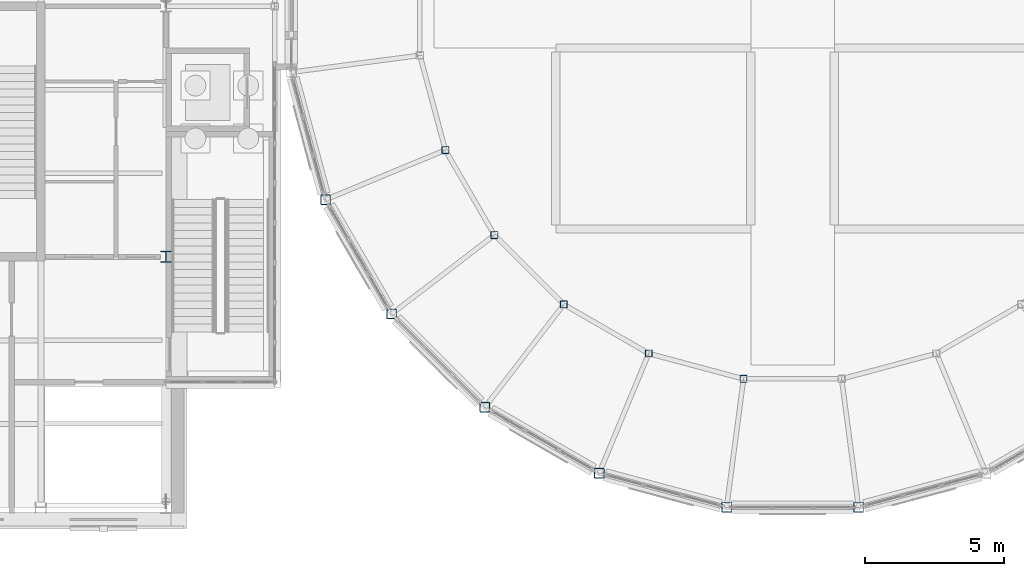
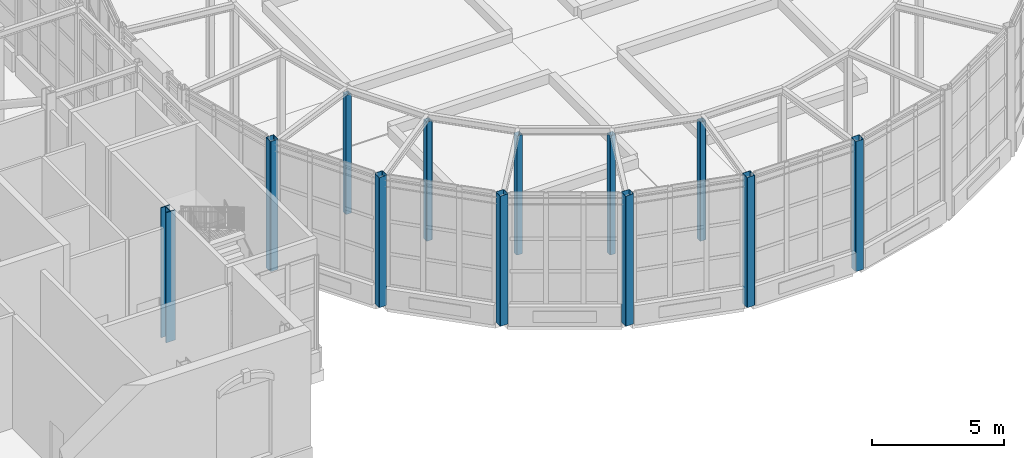
# One storey, part 7 of 106: 12 columns.
"""IFC4 building model written with IfcOpenShell, lengths in metres."""

import ifcopenshell
import ifcopenshell.guid

model = None  # the IFC model being written
_history = None  # IfcOwnerHistory: only IFC2X3 demands one
_inside = {}  # id of a spatial element -> (the spatial element, [elements in it])
_under = {}  # id of a project, library or spatial element -> (it, [spatial elements below it])
_declared = {}  # id of a project -> (the project, [libraries it declares])
_typed = {}  # id of a type object -> (the type object, [elements of that type])
_made_of = {}  # id of a material, layer set ... -> (it, [elements and type objects made of it])


def new_model(schema):
    """Start an empty IFC model of exactly this schema.

    Asked for "IFC4X3", IfcOpenShell would pick the latest addendum, in which some entities
    have other attributes; the version numbers below select the first issue.
    IFC2X3 requires an IfcOwnerHistory on every rooted entity: one is made here for all.
    """
    global model, _history
    if schema == "IFC4X3":
        model = ifcopenshell.file(schema_version=(4, 3, 0, 0))
    else:
        model = ifcopenshell.file(schema=schema)
    _inside.clear()
    _under.clear()
    _declared.clear()
    _typed.clear()
    _made_of.clear()
    _history = None
    if model.schema == "IFC2X3":
        org = make("IfcOrganization", Name="unknown")
        user = make(
            "IfcPersonAndOrganization",
            ThePerson=make("IfcPerson", FamilyName="unknown"),
            TheOrganization=org,
        )
        app = make(
            "IfcApplication",
            ApplicationDeveloper=org,
            Version="unknown",
            ApplicationFullName="unknown",
            ApplicationIdentifier="unknown",
        )
        _history = make(
            "IfcOwnerHistory",
            OwningUser=user,
            OwningApplication=app,
            ChangeAction="ADDED",
            CreationDate=0,
        )
    return model


def make(cls, **values):
    """One entity of the class cls with the attributes given. An attribute that is None is left unset."""
    return model.create_entity(
        cls, **{name: value for name, value in values.items() if value is not None}
    )


def rooted(cls, **values):
    """An entity with a GlobalId (a new one), such as an element, a storey or a relation."""
    return make(cls, GlobalId=ifcopenshell.guid.new(), OwnerHistory=_history, **values)


def si_unit(unit_type, name, prefix=None):
    """IfcSIUnit, for example si_unit("LENGTHUNIT", "METRE", prefix="MILLI")."""
    return make("IfcSIUnit", UnitType=unit_type, Prefix=prefix, Name=name)


def assignment(units):
    """IfcUnitAssignment: the units of a project."""
    return None if units is None else make("IfcUnitAssignment", Units=units)


def point(xyz):
    """IfcCartesianPoint."""
    return None if xyz is None else make("IfcCartesianPoint", Coordinates=xyz)


def direction(xyz):
    """IfcDirection."""
    return None if xyz is None else make("IfcDirection", DirectionRatios=xyz)


def frame(location, z_axis=None, x_axis=None):
    """IfcAxis2Placement3D, a coordinate frame: its origin and axes. An axis left out is left unset."""
    return make(
        "IfcAxis2Placement3D",
        Location=point(location),
        Axis=direction(z_axis),
        RefDirection=direction(x_axis),
    )


def frame_2d(location, x_axis=None):
    """IfcAxis2Placement2D, a coordinate frame in the plane: its origin and x axis."""
    return make(
        "IfcAxis2Placement2D", Location=point(location), RefDirection=direction(x_axis)
    )


def origin():
    """The frame at (0, 0, 0) with its axes left unset."""
    return frame((0.0, 0.0, 0.0))


def origin_2d():
    """The frame at (0, 0) in the plane with its x axis left unset."""
    return frame_2d((0.0, 0.0))


def place(relative_to, where):
    """IfcLocalPlacement: puts the frame where relative to a parent placement (None: the world)."""
    return make(
        "IfcLocalPlacement", PlacementRelTo=relative_to, RelativePlacement=where
    )


def context(
    kind, dimensions, precision=None, world=None, true_north=None, identifier=None
):
    """IfcGeometricRepresentationContext, for example the 3D "Model" context."""
    return make(
        "IfcGeometricRepresentationContext",
        ContextIdentifier=identifier,
        ContextType=kind,
        CoordinateSpaceDimension=dimensions,
        Precision=precision,
        WorldCoordinateSystem=world,
        TrueNorth=true_north,
    )


def subcontext(parent, identifier, kind, view, scale=None):
    """IfcGeometricRepresentationSubContext, for example "Body" below "Model"."""
    return make(
        "IfcGeometricRepresentationSubContext",
        ContextIdentifier=identifier,
        ContextType=kind,
        ParentContext=parent,
        TargetScale=scale,
        TargetView=view,
    )


def project(units=None, contexts=None):
    """IfcProject with its units and contexts."""
    return rooted(
        "IfcProject",
        Name="project",
        RepresentationContexts=contexts,
        UnitsInContext=assignment(units),
    )


def spatial(cls, under=None, at=None, **own):
    """A site, building, storey or space (cls), placed at a placement, below another one or the project."""
    s = rooted(cls, ObjectPlacement=at, **own)
    if under is not None:
        _under.setdefault(under.id(), (under, []))[1].append(s)
    return s


def profile(cls, at=None, kind="AREA", **sizes):
    """A parametric profile (cls). Its sizes go by their IFC names, for example OverallWidth=200.0."""
    return make(cls, ProfileType=kind, Position=at, **sizes)


def hollow_rectangle(**sizes):
    """IfcRectangleHollowProfileDef."""
    return profile("IfcRectangleHollowProfileDef", **sizes)


def i_section(**sizes):
    """IfcIShapeProfileDef."""
    return profile("IfcIShapeProfileDef", **sizes)


def extrude(swept, where, along, depth):
    """IfcExtrudedAreaSolid: the profile swept, set in the frame where, extruded along a direction by depth."""
    return make(
        "IfcExtrudedAreaSolid",
        SweptArea=swept,
        Position=where,
        ExtrudedDirection=direction(along),
        Depth=depth,
    )


def shape(context_of_items, identifier, shape_type, items):
    """IfcShapeRepresentation: the items that make up one representation, for example the "Body"."""
    return make(
        "IfcShapeRepresentation",
        ContextOfItems=context_of_items,
        RepresentationIdentifier=identifier,
        RepresentationType=shape_type,
        Items=items,
    )


def material(Name=None, Category=None):
    """IfcMaterial."""
    return make("IfcMaterial", Name=Name, Category=Category)


def material_profile(
    of_material, cross_section, Name=None, Category=None, Priority=None
):
    """IfcMaterialProfile: a cross section and its material."""
    return make(
        "IfcMaterialProfile",
        Name=Name,
        Material=of_material,
        Profile=cross_section,
        Priority=Priority,
        Category=Category,
    )


def profile_set(profiles, Name=None, composite=None):
    """IfcMaterialProfileSet."""
    return make(
        "IfcMaterialProfileSet",
        Name=Name,
        MaterialProfiles=profiles,
        CompositeProfile=composite,
    )


def made_of(thing, what):
    """Note that an element or type object is made of a material, layer set ...; save() writes the relation."""
    if what is not None:
        _made_of.setdefault(what.id(), (what, []))[1].append(thing)
    return thing


def type_object(cls, material=None, **own):
    """A type object (cls), such as IfcWallType, which elements share."""
    return made_of(rooted(cls, **own), material)


def element(
    cls,
    number,
    at=None,
    inside=None,
    cuts=None,
    type_object=None,
    material=None,
    context=None,
    identifier="Body",
    shape_type=None,
    held_by="IfcProductDefinitionShape",
    body=None,
    shapes=None,
    **own,
):
    """One element of the class cls, such as IfcWall. Its Tag is "e" and its number.

    at: its placement. inside: the storey or other place that contains it. cuts: it is an
    opening in that element (IfcRelVoidsElement). A single representation is given by context,
    identifier, shape_type and body (its items); several are given by shapes. held_by: the class
    of the entity that holds the representations. save() writes the other relations.
    """
    e = rooted(cls, Tag="e%d" % number, ObjectPlacement=at, **own)
    if body is not None:
        shapes = [shape(context, identifier, shape_type, body)]
    if shapes is not None:
        e.Representation = make(held_by, Representations=shapes)
    if inside is not None:
        _inside.setdefault(inside.id(), (inside, []))[1].append(e)
    if cuts is not None:
        rooted(
            "IfcRelVoidsElement", RelatingBuildingElement=cuts, RelatedOpeningElement=e
        )
    if type_object is not None:
        _typed.setdefault(type_object.id(), (type_object, []))[1].append(e)
    return made_of(e, material)


def aggregate(whole, parts):
    """IfcRelAggregates: a whole, such as a stair, and the parts it consists of."""
    return rooted("IfcRelAggregates", RelatingObject=whole, RelatedObjects=parts)


def save(model, path):
    """Write the relations noted so far, then the file.

    IfcRelAggregates (storeys below a building ...), IfcRelContainedInSpatialStructure (elements
    in a storey), IfcRelDefinesByType, IfcRelAssociatesMaterial and IfcRelDeclares: one each for
    every whole, place, type object, material and project.
    """
    for whole, parts in _under.values():
        aggregate(whole, parts)
    for where, things in _inside.values():
        rooted(
            "IfcRelContainedInSpatialStructure",
            RelatedElements=things,
            RelatingStructure=where,
        )
    for kind, things in _typed.values():
        rooted("IfcRelDefinesByType", RelatedObjects=things, RelatingType=kind)
    for what, things in _made_of.values():
        rooted("IfcRelAssociatesMaterial", RelatedObjects=things, RelatingMaterial=what)
    for by, libraries in _declared.values():
        rooted("IfcRelDeclares", RelatingContext=by, RelatedDefinitions=libraries)
    model.write(path)


model = new_model("IFC4")

# Units and contexts
model_context = context("Model", 3, precision=1e-05, world=origin(), true_north=direction((0.0, 1.0)))
body_context = subcontext(model_context, "Body", "Model", "MODEL_VIEW")
ifc_project = project(units=[si_unit("LENGTHUNIT", "METRE"), si_unit("AREAUNIT", "SQUARE_METRE"), si_unit("VOLUMEUNIT", "CUBIC_METRE"), si_unit("PLANEANGLEUNIT", "RADIAN"), si_unit("MASSUNIT", "GRAM", prefix="KILO")], contexts=[model_context])

# Site, building, storey
site_placement = place(None, origin())
site = spatial("IfcSite", under=ifc_project, at=site_placement, CompositionType="ELEMENT")
building_placement = place(site_placement, origin())
building = spatial("IfcBuilding", under=site, at=building_placement, Name="Hortulan Conservatory and Botanical Research Centre", CompositionType="ELEMENT")
storey_placement = place(building_placement, origin())
storey = spatial("IfcBuildingStorey", under=building, at=storey_placement, Name="L00", CompositionType="ELEMENT", Elevation=0.0)

# Columns
ifc_material_1 = material(Name="Steel Grade C450L0 (450 MPa, AS/NZS 1163)", Category="steel")
ifc_material_profile_1 = material_profile(ifc_material_1, hollow_rectangle(XDim=0.35009765625, YDim=0.35009765625, WallThickness=0.012451171875, InnerFilletRadius=0.018798828125, OuterFilletRadius=0.03125, at=origin_2d()), Name="350x350x12.5SHS")
ifc_profile_set_1 = profile_set([ifc_material_profile_1], Name="Steel Grade C450L0 (450 MPa, AS/NZS 1163)")
column_type_1 = type_object("IfcColumnType", Name="Dome Drum Column 350x350x12.5 SHS", PredefinedType="COLUMN", material=ifc_profile_set_1)
for number, where, z_axis, x_axis, name in (
    (1, (37.226806640625, 11.05224609375, 0.0), (0.0, 0.0, 1.0), (1.0, 0.0, 0.0), "Dome drum column 14 L00"),
    (2, (39.596435546875, 6.94775390625, 0.0), (0.0, 0.0, 1.0), (1.0, 0.0, 0.0), "Dome drum column 15 L00"),
    (3, (42.94775390625, 3.596435546875, 0.0), (0.0, 0.0, 1.0), (1.0, 0.0, 0.0), "Dome drum column 16 L00"),
    (4, (47.05224609375, 1.226806640625, 0.0), (0.0, 0.0, 1.0), (1.0, 0.0, 0.0), "Dome drum column 17 L00"),
    (5, (51.63037109375, 0.0, 0.0), (0.0, 0.0, 1.0), (1.0, 0.0, 0.0), "Dome drum column 18 L00"),
    (6, (56.36962890625, 0.0, 0.0), (0.0, 0.0, 1.0), (1.0, 0.0, 0.0), "Dome drum column 19 L00"),
):
    element("IfcColumn", number, at=place(storey_placement, frame(where, z_axis=z_axis, x_axis=x_axis)), inside=storey, type_object=column_type_1, Name=name, PredefinedType="COLUMN", context=body_context, shape_type="SweptSolid", body=[
        extrude(hollow_rectangle(XDim=0.35009765625, YDim=0.35009765625, WallThickness=0.012451171875, InnerFilletRadius=0.018798828125, OuterFilletRadius=0.03125, at=origin_2d()), origin(), (0.0, 0.0, 1.0), 6.0),
    ])
ifc_material_profile_2 = material_profile(ifc_material_1, hollow_rectangle(XDim=0.25, YDim=0.25, WallThickness=0.009033203125, InnerFilletRadius=0.013427734375, OuterFilletRadius=0.0224609375, at=origin_2d()), Name="250x250x9SHS")
ifc_profile_set_2 = profile_set([ifc_material_profile_2], Name="Steel Grade C450L0 (450 MPa, AS/NZS 1163)")
column_type_2 = type_object("IfcColumnType", Name="Dome Walk Support Column 250x250x9 SHS", PredefinedType="COLUMN", material=ifc_profile_set_2)
for number, where, z_axis, x_axis, name in (
    (7, (41.527587890625, 12.833740234375, 0.0), (0.0, 0.0, 1.0), (1.0, 0.0, 0.0), "Dome walk support 14 L00"),
    (8, (43.289794921875, 9.78173828125, 0.0), (0.0, 0.0, 1.0), (1.0, 0.0, 0.0), "Dome walk support 15 L00"),
    (9, (45.78173828125, 7.289794921875, 0.0), (0.0, 0.0, 1.0), (1.0, 0.0, 0.0), "Dome walk support 16 L00"),
    (10, (48.833740234375, 5.527587890625, 0.0), (0.0, 0.0, 1.0), (1.0, 0.0, 0.0), "Dome walk support 17 L00"),
    (11, (52.23779296875, 4.615478515625, 0.0), (0.0, 0.0, 1.0), (1.0, 0.0, 0.0), "Dome walk support 18 L00"),
):
    element("IfcColumn", number, at=place(storey_placement, frame(where, z_axis=z_axis, x_axis=x_axis)), inside=storey, type_object=column_type_2, Name=name, PredefinedType="COLUMN", context=body_context, shape_type="SweptSolid", body=[
        extrude(hollow_rectangle(XDim=0.25, YDim=0.25, WallThickness=0.009033203125, InnerFilletRadius=0.013427734375, OuterFilletRadius=0.0224609375, at=origin_2d()), origin(), (0.0, 0.0, 1.0), 5.492919921875),
    ])
ifc_material_2 = material(Name="Steel Grade 300 (AS/NZS 3679.2, plate AS/NZS 3678, 280 MPa minimum yield)", Category="steel")
ifc_material_profile_3 = material_profile(ifc_material_2, i_section(OverallWidth=0.39990234375, OverallDepth=0.422119140625, WebThickness=0.028076171875, FlangeThickness=0.035888671875, at=origin_2d()), Name="400WC303")
ifc_profile_set_3 = profile_set([ifc_material_profile_3], Name="Steel Grade 300 (AS/NZS 3679.2, plate AS/NZS 3678, 280 MPa minimum yield)")
column_type_3 = type_object("IfcColumnType", Name="Tower Column 400WC303", PredefinedType="COLUMN", material=ifc_profile_set_3)
column_placement = place(storey_placement, frame((31.5, 9.0, 0.0), z_axis=(0.0, 0.0, 1.0), x_axis=(1.0, 0.0, 0.0)))
element("IfcColumn", 12, at=column_placement, inside=storey, type_object=column_type_3, Name="400WC303 column", PredefinedType="COLUMN", context=body_context, shape_type="SweptSolid", body=[
    extrude(i_section(OverallWidth=0.39990234375, OverallDepth=0.422119140625, WebThickness=0.028076171875, FlangeThickness=0.035888671875, at=origin_2d()), origin(), (0.0, 0.0, 1.0), 6.0),
])

save(model, "model.ifc")
